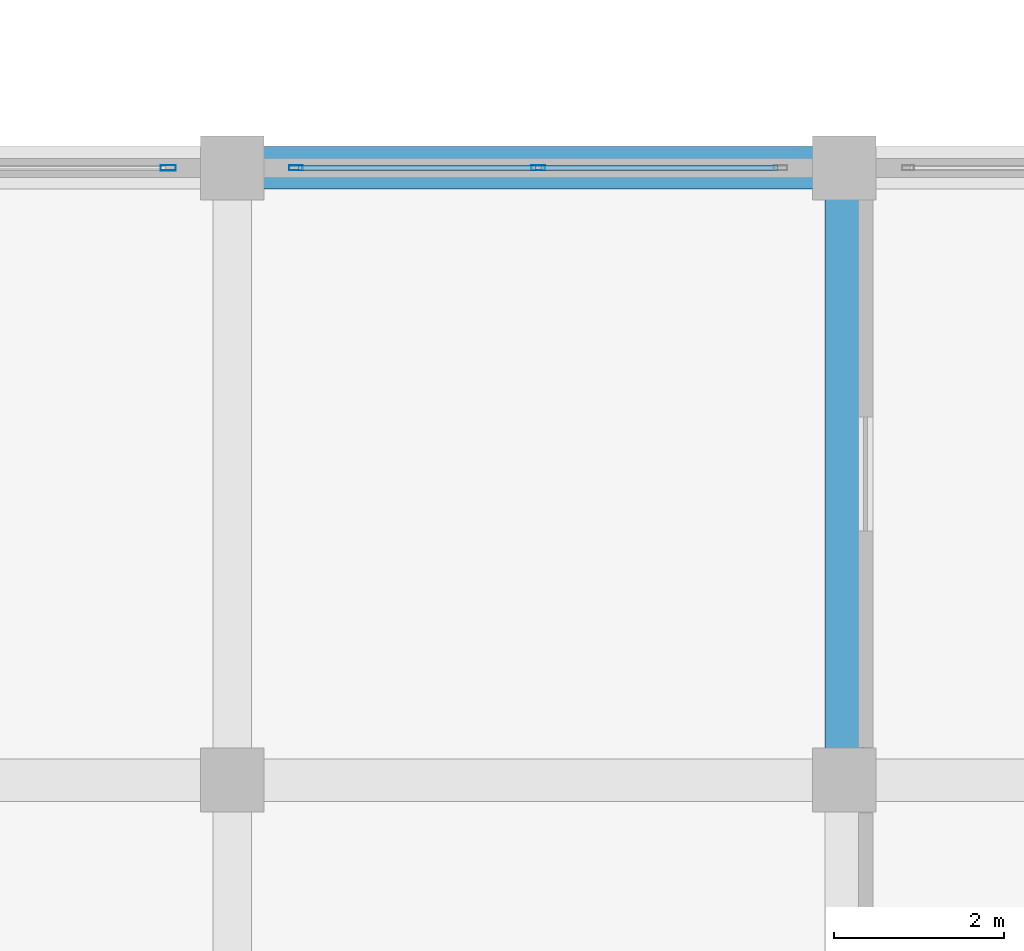
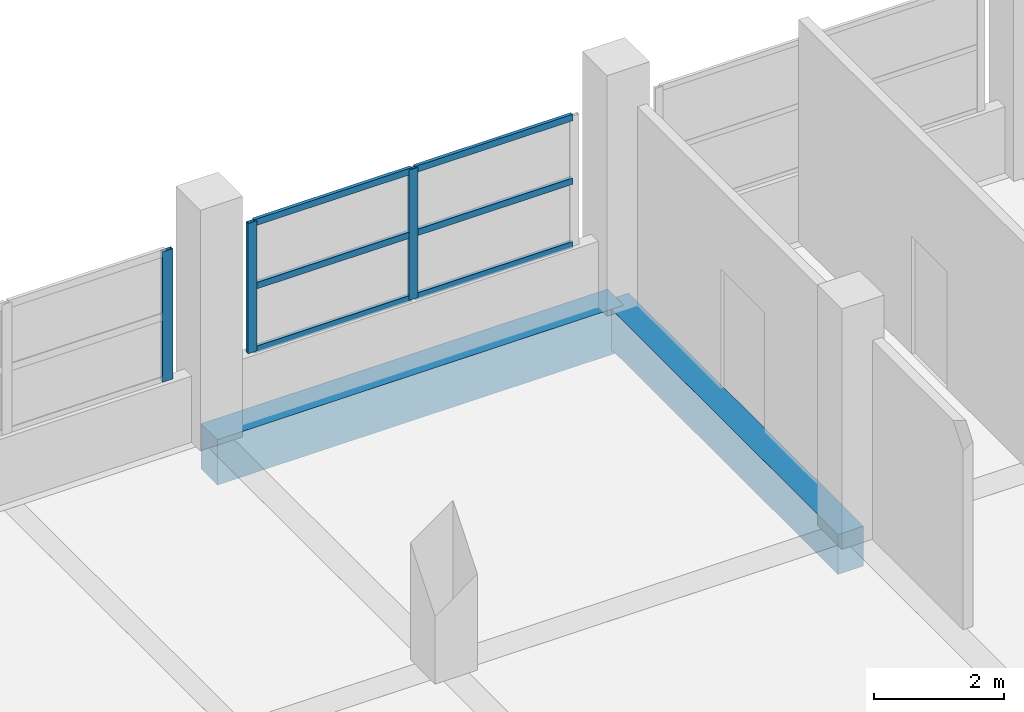
# One storey, part 14 of 141: 9 members, 2 beams, 2 elements without a shape of their own.
"""IFC4 building model written with IfcOpenShell, lengths in metres."""

from ifc_helpers import new_model, si_unit, direction, frame, origin, origin_2d, place, context, subcontext, project, spatial, rectangle, hollow_rectangle, extrude, material, layer, layer_set, material_profile, profile_set, type_object, element, aggregate, save


model = new_model("IFC4")

# Units and contexts
model_context = context("Model", 3, precision=1e-05, world=origin(), true_north=direction((0.0, 1.0)))
body_context = subcontext(model_context, "Body", "Model", "MODEL_VIEW")
ifc_project = project(units=[si_unit("LENGTHUNIT", "METRE"), si_unit("AREAUNIT", "SQUARE_METRE"), si_unit("VOLUMEUNIT", "CUBIC_METRE"), si_unit("PLANEANGLEUNIT", "RADIAN"), si_unit("MASSUNIT", "GRAM", prefix="KILO")], contexts=[model_context])

# Site, building, storey
site_placement = place(None, origin())
site = spatial("IfcSite", under=ifc_project, at=site_placement, CompositionType="ELEMENT")
building_placement = place(site_placement, origin())
building = spatial("IfcBuilding", under=site, at=building_placement, Name="Seraya Terrace Polytechnic", CompositionType="ELEMENT")
storey_placement = place(building_placement, frame((0.0, 0.0, 14.39990234375)))
storey = spatial("IfcBuildingStorey", under=building, at=storey_placement, Name="L03", CompositionType="ELEMENT", Elevation=14.39990234375)

# Beams
ifc_material_1 = material(Name="Concrete C40/50", Category="concrete")
ifc_material_profile_1 = material_profile(ifc_material_1, rectangle(XDim=0.5, YDim=0.85009765625, at=origin_2d()), Name="RC 500x850")
ifc_profile_set_1 = profile_set([ifc_material_profile_1], Name="Concrete C40/50")
beam_type_1 = type_object("IfcBeamType", Name="BM-05", PredefinedType="BEAM", material=ifc_profile_set_1)
beam_1_placement = place(storey_placement, frame((50.39990234375, 28.800048828125, -0.4248046875), z_axis=(1.0, 0.0, 0.0), x_axis=(0.0, 1.0, 0.0)))
element("IfcBeam", 1, at=beam_1_placement, inside=storey, type_object=beam_type_1, Name="Beam BM-05 L03 X (50.4..57.6, 28.8)", PredefinedType="BEAM", context=body_context, shape_type="SweptSolid", body=[
    extrude(rectangle(XDim=0.5, YDim=0.85009765625, at=origin_2d()), origin(), (0.0, 0.0, 1.0), 7.2001953125),
])
ifc_material_profile_2 = material_profile(ifc_material_1, rectangle(XDim=0.449951171875, YDim=0.75, at=origin_2d()), Name="RC 450x750")
ifc_profile_set_2 = profile_set([ifc_material_profile_2], Name="Concrete C40/50")
beam_type_2 = type_object("IfcBeamType", Name="BM-08", PredefinedType="BEAM", material=ifc_profile_set_2)
beam_2_placement = place(storey_placement, frame((57.60009765625, 21.60009765625, -0.375), z_axis=(0.0, 1.0, 0.0), x_axis=(-1.0, 0.0, 0.0)))
element("IfcBeam", 2, at=beam_2_placement, inside=storey, type_object=beam_type_2, Name="Beam BM-08 L03 Y (57.6, 21.6..28.8)", PredefinedType="BEAM", context=body_context, shape_type="SweptSolid", body=[
    extrude(rectangle(XDim=0.449951171875, YDim=0.75, at=origin_2d()), origin(), (0.0, 0.0, 1.0), 7.199951171875),
])

# Curtain wall, member
ifc_material_2 = material(Name="Anodised aluminium EN AW-6063 T6", Category="aluminium")
ifc_layer_1 = layer(ifc_material_2, 0.179931640625, Name="CW-07")
ifc_layer_set_1 = layer_set([ifc_layer_1], Name="Anodised aluminium EN AW-6063 T6")
curtain_wall_type_1 = type_object("IfcCurtainWallType", Name="CW-07", PredefinedType="NOTDEFINED", material=ifc_layer_set_1)
curtain_wall_1_placement = place(storey_placement, origin())
curtain_wall_1 = element("IfcCurtainWall", 3, at=curtain_wall_1_placement, inside=storey, type_object=curtain_wall_type_1, Name="Unitised curtain wall CW-07 (CW-L03-151)", PredefinedType="NOTDEFINED")
ifc_material_profile_3 = material_profile(ifc_material_2, hollow_rectangle(XDim=0.06494140625, YDim=0.179931640625, WallThickness=0.00390625, at=origin_2d()), Name="RHS 180x65x4.0")
ifc_profile_set_3 = profile_set([ifc_material_profile_3], Name="Anodised aluminium EN AW-6063 T6")
member_type_1 = type_object("IfcMemberType", Name="CWM-01", PredefinedType="MULLION", material=ifc_profile_set_3)
member_1_placement = place(storey_placement, frame((49.6474609375, 28.800048828125, 1.239990234375), z_axis=(0.0, 0.0, 1.0), x_axis=(0.0, 1.0, 0.0)))
member_1 = element("IfcMember", 4, at=member_1_placement, type_object=member_type_1, Name="CW-07 mullion 3", PredefinedType="MULLION", context=body_context, shape_type="SweptSolid", body=[
    extrude(hollow_rectangle(XDim=0.06494140625, YDim=0.179931640625, WallThickness=0.00390625, at=origin_2d()), origin(), (0.0, 0.0, 1.0), 2.440185546875),
])
aggregate(curtain_wall_1, [member_1])

# Curtain wall, members
ifc_layer_2 = layer(ifc_material_2, 0.179931640625, Name="CW-08")
ifc_layer_set_2 = layer_set([ifc_layer_2], Name="Anodised aluminium EN AW-6063 T6")
curtain_wall_type_2 = type_object("IfcCurtainWallType", Name="CW-08", PredefinedType="NOTDEFINED", material=ifc_layer_set_2)
curtain_wall_2_placement = place(storey_placement, origin())
curtain_wall_2 = element("IfcCurtainWall", 5, at=curtain_wall_2_placement, inside=storey, type_object=curtain_wall_type_2, Name="Unitised curtain wall CW-08 (CW-L03-152)", PredefinedType="NOTDEFINED")
ifc_material_profile_4 = material_profile(ifc_material_2, hollow_rectangle(XDim=0.06005859375, YDim=0.159912109375, WallThickness=0.00341796875, at=origin_2d()), Name="RHS 160x60x3.5")
ifc_profile_set_4 = profile_set([ifc_material_profile_4], Name="Anodised aluminium EN AW-6063 T6")
member_type_2 = type_object("IfcMemberType", Name="CWM-02", PredefinedType="MULLION", material=ifc_profile_set_4)
member_2_placement = place(storey_placement, frame((51.14990234375, 28.800048828125, 1.239990234375), z_axis=(0.0, 0.0, 1.0), x_axis=(0.0, 1.0, 0.0)))
member_2 = element("IfcMember", 6, at=member_2_placement, type_object=member_type_2, Name="CW-08 mullion 1", PredefinedType="MULLION", context=body_context, shape_type="SweptSolid", body=[
    extrude(hollow_rectangle(XDim=0.06005859375, YDim=0.159912109375, WallThickness=0.00341796875, at=origin_2d()), origin(), (0.0, 0.0, 1.0), 2.440185546875),
])
member_3_placement = place(storey_placement, frame((54.0, 28.800048828125, 1.239990234375), z_axis=(0.0, 0.0, 1.0), x_axis=(0.0, 1.0, 0.0)))
member_3 = element("IfcMember", 7, at=member_3_placement, type_object=member_type_2, Name="CW-08 mullion 2", PredefinedType="MULLION", context=body_context, shape_type="SweptSolid", body=[
    extrude(hollow_rectangle(XDim=0.06005859375, YDim=0.159912109375, WallThickness=0.00341796875, at=origin_2d()), origin(), (0.0, 0.0, 1.0), 2.440185546875),
])
ifc_material_profile_5 = material_profile(ifc_material_2, hollow_rectangle(XDim=0.06005859375, YDim=0.1201171875, WallThickness=0.003173828125, at=origin_2d()), Name="RHS 120x60x3.2")
ifc_profile_set_5 = profile_set([ifc_material_profile_5], Name="Anodised aluminium EN AW-6063 T6")
member_type_3 = type_object("IfcMemberType", Name="CWT-02", PredefinedType="USERDEFINED", material=ifc_profile_set_5)
member_4_placement = place(storey_placement, frame((51.179931640625, 28.800048828125, 1.27001953125), z_axis=(1.0, 0.0, 0.0), x_axis=(0.0, 1.0, 0.0)))
member_4 = element("IfcMember", 8, at=member_4_placement, type_object=member_type_3, Name="CW-08 transom 1.1", ObjectType="TRANSOM", PredefinedType="USERDEFINED", context=body_context, shape_type="SweptSolid", body=[
    extrude(hollow_rectangle(XDim=0.06005859375, YDim=0.1201171875, WallThickness=0.003173828125, at=origin_2d()), origin(), (0.0, 0.0, 1.0), 2.7900390625),
])
member_5_placement = place(storey_placement, frame((51.179931640625, 28.800048828125, 2.460205078125), z_axis=(1.0, 0.0, 0.0), x_axis=(0.0, 1.0, 0.0)))
member_5 = element("IfcMember", 9, at=member_5_placement, type_object=member_type_3, Name="CW-08 transom 1.2", ObjectType="TRANSOM", PredefinedType="USERDEFINED", context=body_context, shape_type="SweptSolid", body=[
    extrude(hollow_rectangle(XDim=0.06005859375, YDim=0.1201171875, WallThickness=0.003173828125, at=origin_2d()), origin(), (0.0, 0.0, 1.0), 2.7900390625),
])
member_6_placement = place(storey_placement, frame((51.179931640625, 28.800048828125, 3.650146484375), z_axis=(1.0, 0.0, 0.0), x_axis=(0.0, 1.0, 0.0)))
member_6 = element("IfcMember", 10, at=member_6_placement, type_object=member_type_3, Name="CW-08 transom 1.3", ObjectType="TRANSOM", PredefinedType="USERDEFINED", context=body_context, shape_type="SweptSolid", body=[
    extrude(hollow_rectangle(XDim=0.06005859375, YDim=0.1201171875, WallThickness=0.003173828125, at=origin_2d()), origin(), (0.0, 0.0, 1.0), 2.7900390625),
])
member_7_placement = place(storey_placement, frame((54.030029296875, 28.800048828125, 1.27001953125), z_axis=(1.0, 0.0, 0.0), x_axis=(0.0, 1.0, 0.0)))
member_7 = element("IfcMember", 11, at=member_7_placement, type_object=member_type_3, Name="CW-08 transom 2.1", ObjectType="TRANSOM", PredefinedType="USERDEFINED", context=body_context, shape_type="SweptSolid", body=[
    extrude(hollow_rectangle(XDim=0.06005859375, YDim=0.1201171875, WallThickness=0.003173828125, at=origin_2d()), origin(), (0.0, 0.0, 1.0), 2.7900390625),
])
member_8_placement = place(storey_placement, frame((54.030029296875, 28.800048828125, 2.460205078125), z_axis=(1.0, 0.0, 0.0), x_axis=(0.0, 1.0, 0.0)))
member_8 = element("IfcMember", 12, at=member_8_placement, type_object=member_type_3, Name="CW-08 transom 2.2", ObjectType="TRANSOM", PredefinedType="USERDEFINED", context=body_context, shape_type="SweptSolid", body=[
    extrude(hollow_rectangle(XDim=0.06005859375, YDim=0.1201171875, WallThickness=0.003173828125, at=origin_2d()), origin(), (0.0, 0.0, 1.0), 2.7900390625),
])
member_9_placement = place(storey_placement, frame((54.030029296875, 28.800048828125, 3.650146484375), z_axis=(1.0, 0.0, 0.0), x_axis=(0.0, 1.0, 0.0)))
member_9 = element("IfcMember", 13, at=member_9_placement, type_object=member_type_3, Name="CW-08 transom 2.3", ObjectType="TRANSOM", PredefinedType="USERDEFINED", context=body_context, shape_type="SweptSolid", body=[
    extrude(hollow_rectangle(XDim=0.06005859375, YDim=0.1201171875, WallThickness=0.003173828125, at=origin_2d()), origin(), (0.0, 0.0, 1.0), 2.7900390625),
])
aggregate(curtain_wall_2, [member_2, member_3, member_4, member_5, member_6, member_7, member_8, member_9])

save(model, "model.ifc")
